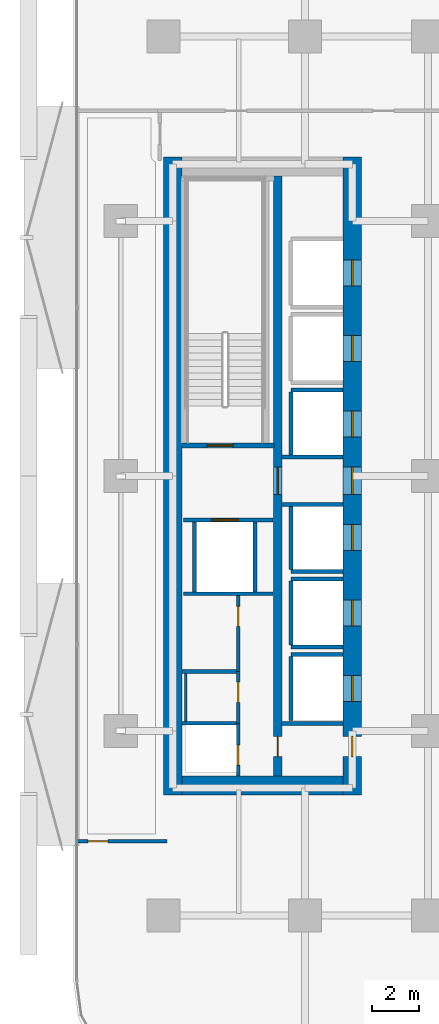
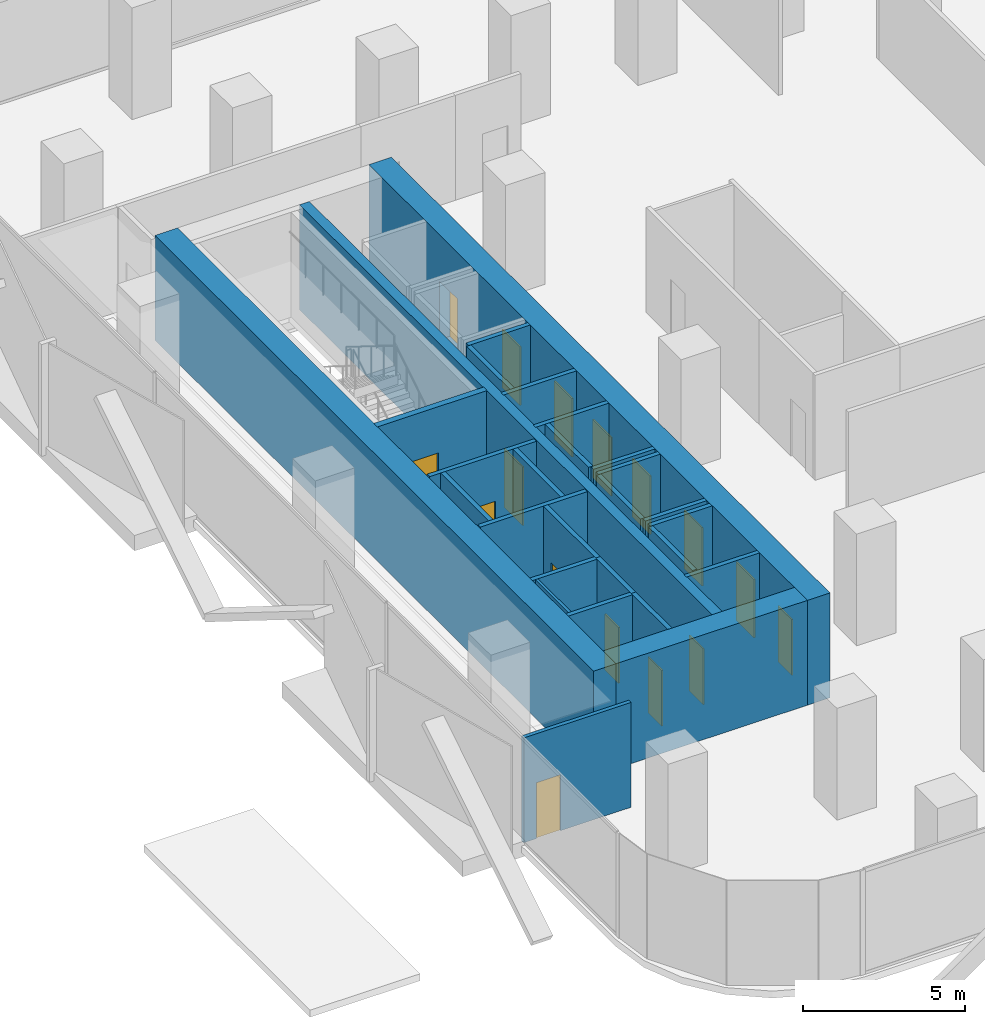
# One storey, part 3 of 16: 28 walls, 16 doors, 16 openings.
"""IFC4 building model written with IfcOpenShell, lengths in metres."""

import ifcopenshell
import ifcopenshell.guid

model = None  # the IFC model being written
_history = None  # IfcOwnerHistory: only IFC2X3 demands one
_inside = {}  # id of a spatial element -> (the spatial element, [elements in it])
_under = {}  # id of a project, library or spatial element -> (it, [spatial elements below it])
_declared = {}  # id of a project -> (the project, [libraries it declares])
_typed = {}  # id of a type object -> (the type object, [elements of that type])
_made_of = {}  # id of a material, layer set ... -> (it, [elements and type objects made of it])


def new_model(schema):
    """Start an empty IFC model of exactly this schema.

    Asked for "IFC4X3", IfcOpenShell would pick the latest addendum, in which some entities
    have other attributes; the version numbers below select the first issue.
    IFC2X3 requires an IfcOwnerHistory on every rooted entity: one is made here for all.
    """
    global model, _history
    if schema == "IFC4X3":
        model = ifcopenshell.file(schema_version=(4, 3, 0, 0))
    else:
        model = ifcopenshell.file(schema=schema)
    _inside.clear()
    _under.clear()
    _declared.clear()
    _typed.clear()
    _made_of.clear()
    _history = None
    if model.schema == "IFC2X3":
        org = make("IfcOrganization", Name="unknown")
        user = make(
            "IfcPersonAndOrganization",
            ThePerson=make("IfcPerson", FamilyName="unknown"),
            TheOrganization=org,
        )
        app = make(
            "IfcApplication",
            ApplicationDeveloper=org,
            Version="unknown",
            ApplicationFullName="unknown",
            ApplicationIdentifier="unknown",
        )
        _history = make(
            "IfcOwnerHistory",
            OwningUser=user,
            OwningApplication=app,
            ChangeAction="ADDED",
            CreationDate=0,
        )
    return model


def make(cls, **values):
    """One entity of the class cls with the attributes given. An attribute that is None is left unset."""
    return model.create_entity(
        cls, **{name: value for name, value in values.items() if value is not None}
    )


def rooted(cls, **values):
    """An entity with a GlobalId (a new one), such as an element, a storey or a relation."""
    return make(cls, GlobalId=ifcopenshell.guid.new(), OwnerHistory=_history, **values)


def si_unit(unit_type, name, prefix=None):
    """IfcSIUnit, for example si_unit("LENGTHUNIT", "METRE", prefix="MILLI")."""
    return make("IfcSIUnit", UnitType=unit_type, Prefix=prefix, Name=name)


def assignment(units):
    """IfcUnitAssignment: the units of a project."""
    return None if units is None else make("IfcUnitAssignment", Units=units)


def point(xyz):
    """IfcCartesianPoint."""
    return None if xyz is None else make("IfcCartesianPoint", Coordinates=xyz)


def direction(xyz):
    """IfcDirection."""
    return None if xyz is None else make("IfcDirection", DirectionRatios=xyz)


def frame(location, z_axis=None, x_axis=None):
    """IfcAxis2Placement3D, a coordinate frame: its origin and axes. An axis left out is left unset."""
    return make(
        "IfcAxis2Placement3D",
        Location=point(location),
        Axis=direction(z_axis),
        RefDirection=direction(x_axis),
    )


def frame_2d(location, x_axis=None):
    """IfcAxis2Placement2D, a coordinate frame in the plane: its origin and x axis."""
    return make(
        "IfcAxis2Placement2D", Location=point(location), RefDirection=direction(x_axis)
    )


def origin():
    """The frame at (0, 0, 0) with its axes left unset."""
    return frame((0.0, 0.0, 0.0))


def place(relative_to, where):
    """IfcLocalPlacement: puts the frame where relative to a parent placement (None: the world)."""
    return make(
        "IfcLocalPlacement", PlacementRelTo=relative_to, RelativePlacement=where
    )


def context(
    kind, dimensions, precision=None, world=None, true_north=None, identifier=None
):
    """IfcGeometricRepresentationContext, for example the 3D "Model" context."""
    return make(
        "IfcGeometricRepresentationContext",
        ContextIdentifier=identifier,
        ContextType=kind,
        CoordinateSpaceDimension=dimensions,
        Precision=precision,
        WorldCoordinateSystem=world,
        TrueNorth=true_north,
    )


def subcontext(parent, identifier, kind, view, scale=None):
    """IfcGeometricRepresentationSubContext, for example "Body" below "Model"."""
    return make(
        "IfcGeometricRepresentationSubContext",
        ContextIdentifier=identifier,
        ContextType=kind,
        ParentContext=parent,
        TargetScale=scale,
        TargetView=view,
    )


def project(units=None, contexts=None):
    """IfcProject with its units and contexts."""
    return rooted(
        "IfcProject",
        Name="project",
        RepresentationContexts=contexts,
        UnitsInContext=assignment(units),
    )


def spatial(cls, under=None, at=None, **own):
    """A site, building, storey or space (cls), placed at a placement, below another one or the project."""
    s = rooted(cls, ObjectPlacement=at, **own)
    if under is not None:
        _under.setdefault(under.id(), (under, []))[1].append(s)
    return s


def profile(cls, at=None, kind="AREA", **sizes):
    """A parametric profile (cls). Its sizes go by their IFC names, for example OverallWidth=200.0."""
    return make(cls, ProfileType=kind, Position=at, **sizes)


def rectangle(**sizes):
    """IfcRectangleProfileDef."""
    return profile("IfcRectangleProfileDef", **sizes)


def extrude(swept, where, along, depth):
    """IfcExtrudedAreaSolid: the profile swept, set in the frame where, extruded along a direction by depth."""
    return make(
        "IfcExtrudedAreaSolid",
        SweptArea=swept,
        Position=where,
        ExtrudedDirection=direction(along),
        Depth=depth,
    )


def shape(context_of_items, identifier, shape_type, items):
    """IfcShapeRepresentation: the items that make up one representation, for example the "Body"."""
    return make(
        "IfcShapeRepresentation",
        ContextOfItems=context_of_items,
        RepresentationIdentifier=identifier,
        RepresentationType=shape_type,
        Items=items,
    )


def material(Name=None, Category=None):
    """IfcMaterial."""
    return make("IfcMaterial", Name=Name, Category=Category)


def layer(
    of_material, thickness, ventilated=None, Name=None, Category=None, Priority=None
):
    """IfcMaterialLayer: one layer of a wall or slab, of a material (None: an air gap)."""
    return make(
        "IfcMaterialLayer",
        Material=of_material,
        LayerThickness=thickness,
        IsVentilated=ventilated,
        Name=Name,
        Category=Category,
        Priority=Priority,
    )


def layer_set(layers, Name=None):
    """IfcMaterialLayerSet."""
    return make("IfcMaterialLayerSet", MaterialLayers=layers, LayerSetName=Name)


def made_of(thing, what):
    """Note that an element or type object is made of a material, layer set ...; save() writes the relation."""
    if what is not None:
        _made_of.setdefault(what.id(), (what, []))[1].append(thing)
    return thing


def type_object(cls, material=None, **own):
    """A type object (cls), such as IfcWallType, which elements share."""
    return made_of(rooted(cls, **own), material)


def element(
    cls,
    number,
    at=None,
    inside=None,
    cuts=None,
    type_object=None,
    material=None,
    context=None,
    identifier="Body",
    shape_type=None,
    held_by="IfcProductDefinitionShape",
    body=None,
    shapes=None,
    **own,
):
    """One element of the class cls, such as IfcWall. Its Tag is "e" and its number.

    at: its placement. inside: the storey or other place that contains it. cuts: it is an
    opening in that element (IfcRelVoidsElement). A single representation is given by context,
    identifier, shape_type and body (its items); several are given by shapes. held_by: the class
    of the entity that holds the representations. save() writes the other relations.
    """
    e = rooted(cls, Tag="e%d" % number, ObjectPlacement=at, **own)
    if body is not None:
        shapes = [shape(context, identifier, shape_type, body)]
    if shapes is not None:
        e.Representation = make(held_by, Representations=shapes)
    if inside is not None:
        _inside.setdefault(inside.id(), (inside, []))[1].append(e)
    if cuts is not None:
        rooted(
            "IfcRelVoidsElement", RelatingBuildingElement=cuts, RelatedOpeningElement=e
        )
    if type_object is not None:
        _typed.setdefault(type_object.id(), (type_object, []))[1].append(e)
    return made_of(e, material)


def fill(opening, filler):
    """IfcRelFillsElement: the door or window that sits in an opening."""
    return rooted(
        "IfcRelFillsElement",
        RelatingOpeningElement=opening,
        RelatedBuildingElement=filler,
    )


def aggregate(whole, parts):
    """IfcRelAggregates: a whole, such as a stair, and the parts it consists of."""
    return rooted("IfcRelAggregates", RelatingObject=whole, RelatedObjects=parts)


def save(model, path):
    """Write the relations noted so far, then the file.

    IfcRelAggregates (storeys below a building ...), IfcRelContainedInSpatialStructure (elements
    in a storey), IfcRelDefinesByType, IfcRelAssociatesMaterial and IfcRelDeclares: one each for
    every whole, place, type object, material and project.
    """
    for whole, parts in _under.values():
        aggregate(whole, parts)
    for where, things in _inside.values():
        rooted(
            "IfcRelContainedInSpatialStructure",
            RelatedElements=things,
            RelatingStructure=where,
        )
    for kind, things in _typed.values():
        rooted("IfcRelDefinesByType", RelatedObjects=things, RelatingType=kind)
    for what, things in _made_of.values():
        rooted("IfcRelAssociatesMaterial", RelatedObjects=things, RelatingMaterial=what)
    for by, libraries in _declared.values():
        rooted("IfcRelDeclares", RelatingContext=by, RelatedDefinitions=libraries)
    model.write(path)


model = new_model("IFC4")

# Units and contexts
model_context = context("Model", 3, precision=1e-05, world=origin(), true_north=direction((0.0, 1.0)))
body_context = subcontext(model_context, "Body", "Model", "MODEL_VIEW")
ifc_project = project(units=[si_unit("LENGTHUNIT", "METRE"), si_unit("AREAUNIT", "SQUARE_METRE"), si_unit("VOLUMEUNIT", "CUBIC_METRE"), si_unit("PLANEANGLEUNIT", "RADIAN"), si_unit("MASSUNIT", "GRAM", prefix="KILO")], contexts=[model_context])

# Site, building, storey
site_placement = place(None, origin())
site = spatial("IfcSite", under=ifc_project, at=site_placement, CompositionType="ELEMENT")
building_placement = place(site_placement, origin())
building = spatial("IfcBuilding", under=site, at=building_placement, Name="Khairoan Windgate Tower", CompositionType="ELEMENT")
storey_placement = place(building_placement, frame((0.0, 0.0, 26.0)))
storey = spatial("IfcBuildingStorey", under=building, at=storey_placement, Name="L06", CompositionType="ELEMENT", Elevation=26.0)

# Walls
ifc_material_1 = material(Name="Moisture-Resistant Gypsum Partition", Category="gypsum")
ifc_layer_1 = layer(ifc_material_1, 0.10009765625, Name="Moisture-Resistant Gypsum Partition")
ifc_layer_set_1 = layer_set([ifc_layer_1], Name="Moisture-Resistant Gypsum Partition")
wall_type_1 = type_object("IfcWallType", Name="Bathroom Wet-Area Partition Wall", PredefinedType="PARTITIONING", material=ifc_layer_set_1)
wall_1_placement = place(storey_placement, frame((-19.449951171875, -10.389892578125, 0.0), z_axis=(0.0, 0.0, 1.0), x_axis=(0.0, 1.0, 0.0)))
element("IfcWall", 1, at=wall_1_placement, inside=storey, type_object=wall_type_1, Name="L06 Wet Room Side Wall 035", PredefinedType="PARTITIONING", context=body_context, shape_type="SweptSolid", body=[
    extrude(rectangle(XDim=2.039794921875, YDim=0.10009765625, at=frame_2d((1.02001953125, 0.0))), origin(), (0.0, 0.0, 1.0), 3.93994140625),
])
ifc_material_2 = material(Name="Concrete C40/50", Category="concrete")
ifc_layer_2 = layer(ifc_material_2, 0.159912109375, Name="Concrete C40/50")
ifc_layer_set_2 = layer_set([ifc_layer_2], Name="Concrete C40/50")
wall_type_2 = type_object("IfcWallType", Name="Core and Hoistway Enclosure Wall", PredefinedType="STANDARD", material=ifc_layer_set_2)
wall_2_placement = place(storey_placement, frame((-14.989990234375, 3.639892578125, 0.0), z_axis=(0.0, 0.0, 1.0), x_axis=(1.0, 0.0, 0.0)))
element("IfcWall", 2, at=wall_2_placement, inside=storey, type_object=wall_type_2, Name="L06 Lift PL3 Hoistway Divider N", PredefinedType="STANDARD", context=body_context, shape_type="SweptSolid", body=[
    extrude(rectangle(XDim=2.18994140625, YDim=0.159912109375, at=frame_2d((1.094970703125, 0.0))), origin(), (0.0, 0.0, 1.0), 3.93994140625),
])
wall_3_placement = place(storey_placement, frame((-14.989990234375, 0.85009765625, 0.0), z_axis=(0.0, 0.0, 1.0), x_axis=(0.0, 1.0, 0.0)))
element("IfcWall", 3, at=wall_3_placement, inside=storey, type_object=wall_type_2, Name="L06 Lift PL3 Hoistway Back Wall", PredefinedType="STANDARD", context=body_context, shape_type="SweptSolid", body=[
    extrude(rectangle(XDim=2.699951171875, YDim=0.159912109375, at=frame_2d((1.35009765625, 0.0))), origin(), (0.0, 0.0, 1.0), 3.93994140625),
])
wall_4_placement = place(storey_placement, frame((-14.989990234375, -4.0400390625, 0.0), z_axis=(0.0, 0.0, 1.0), x_axis=(1.0, 0.0, 0.0)))
element("IfcWall", 4, at=wall_4_placement, inside=storey, type_object=wall_type_2, Name="L06 Lift PL4 Hoistway Divider S", PredefinedType="STANDARD", context=body_context, shape_type="SweptSolid", body=[
    extrude(rectangle(XDim=2.18994140625, YDim=0.159912109375, at=frame_2d((1.094970703125, 0.0))), origin(), (0.0, 0.0, 1.0), 3.93994140625),
])
wall_5_placement = place(storey_placement, frame((-14.989990234375, -3.949951171875, 0.0), z_axis=(0.0, 0.0, 1.0), x_axis=(0.0, 1.0, 0.0)))
element("IfcWall", 5, at=wall_5_placement, inside=storey, type_object=wall_type_2, Name="L06 Lift PL4 Hoistway Back Wall", PredefinedType="STANDARD", context=body_context, shape_type="SweptSolid", body=[
    extrude(rectangle(XDim=2.699951171875, YDim=0.159912109375, at=frame_2d((1.35009765625, 0.0))), origin(), (0.0, 0.0, 1.0), 3.93994140625),
])
for number, where, z_axis, x_axis, name in (
    (6, (-14.989990234375, -7.239990234375, 0.0), (0.0, 0.0, 1.0), (1.0, 0.0, 0.0), "L06 Lift PL5 Hoistway Divider S"),
    (7, (-14.989990234375, -4.360107421875, 0.0), (0.0, 0.0, 1.0), (1.0, 0.0, 0.0), "L06 Lift PL5 Hoistway Divider N"),
):
    element("IfcWall", number, at=place(storey_placement, frame(where, z_axis=z_axis, x_axis=x_axis)), inside=storey, type_object=wall_type_2, Name=name, PredefinedType="STANDARD", context=body_context, shape_type="SweptSolid", body=[
        extrude(rectangle(XDim=2.18994140625, YDim=0.159912109375, at=frame_2d((1.094970703125, 0.0))), origin(), (0.0, 0.0, 1.0), 3.93994140625),
    ])
wall_6_placement = place(storey_placement, frame((-14.989990234375, -7.14990234375, 0.0), z_axis=(0.0, 0.0, 1.0), x_axis=(0.0, 1.0, 0.0)))
element("IfcWall", 8, at=wall_6_placement, inside=storey, type_object=wall_type_2, Name="L06 Lift PL5 Hoistway Back Wall", PredefinedType="STANDARD", context=body_context, shape_type="SweptSolid", body=[
    extrude(rectangle(XDim=2.699951171875, YDim=0.159912109375, at=frame_2d((1.35009765625, 0.0))), origin(), (0.0, 0.0, 1.0), 3.93994140625),
])
wall_7_placement = place(storey_placement, frame((-14.989990234375, -7.56005859375, 0.0), z_axis=(0.0, 0.0, 1.0), x_axis=(1.0, 0.0, 0.0)))
element("IfcWall", 9, at=wall_7_placement, inside=storey, type_object=wall_type_2, Name="L06 Lift PL6 Hoistway Divider N", PredefinedType="STANDARD", context=body_context, shape_type="SweptSolid", body=[
    extrude(rectangle(XDim=2.18994140625, YDim=0.159912109375, at=frame_2d((1.094970703125, 0.0))), origin(), (0.0, 0.0, 1.0), 3.93994140625),
])
wall_8_placement = place(storey_placement, frame((-14.989990234375, -10.35009765625, 0.0), z_axis=(0.0, 0.0, 1.0), x_axis=(0.0, 1.0, 0.0)))
element("IfcWall", 10, at=wall_8_placement, inside=storey, type_object=wall_type_2, Name="L06 Lift PL6 Hoistway Back Wall", PredefinedType="STANDARD", context=body_context, shape_type="SweptSolid", body=[
    extrude(rectangle(XDim=2.7001953125, YDim=0.159912109375, at=frame_2d((1.35009765625, 0.0))), origin(), (0.0, 0.0, 1.0), 3.93994140625),
])

# Wall, opening, door
wall_9_placement = place(storey_placement, frame((-19.550048828125, -1.860107421875, 0.0), z_axis=(0.0, 0.0, 1.0), x_axis=(1.0, 0.0, 0.0)))
wall_9 = element("IfcWall", 11, at=wall_9_placement, inside=storey, type_object=wall_type_2, Name="L06 Core Shaft Wall SW-FL2-L06", PredefinedType="STANDARD", context=body_context, shape_type="SweptSolid", body=[
    extrude(rectangle(XDim=3.800048828125, YDim=0.159912109375, at=frame_2d((1.89990234375, 0.0))), origin(), (0.0, 0.0, 1.0), 3.93994140625),
])
opening_1_placement = place(wall_9_placement, frame((1.179931640625, 0.0, 0.0)))
opening_1 = element("IfcOpeningElement", 12, at=opening_1_placement, cuts=wall_9, Name="Opening LD-FL", PredefinedType="OPENING", context=body_context, shape_type="SweptSolid", body=[
    extrude(rectangle(XDim=1.14990234375, YDim=2.199951171875, at=frame_2d((0.574951171875, 1.10009765625))), frame((0.0, 0.08984375, 0.0), z_axis=(0.0, -1.0, 0.0), x_axis=(1.0, 0.0, 0.0)), (0.0, 0.0, 1.0), 0.179931640625),
])
ifc_material_3 = material(Name="Steel S355", Category="steel")
door_type_1 = type_object("IfcDoorType", Name="Firefighting Lift Sliding Landing Door LD-FL 1150x2200", OperationType="DOUBLE_DOOR_SLIDING", PredefinedType="DOOR", material=ifc_material_3)
door_1_placement = place(opening_1_placement, origin())
door_1 = element("IfcDoor", 13, at=door_1_placement, inside=storey, type_object=door_type_1, Name="L06 Firefighting Lift FL2 Landing Door", OperationType="DOUBLE_DOOR_SLIDING", OverallHeight=2.199951171875, OverallWidth=1.14990234375, PredefinedType="DOOR", context=body_context, shape_type="SweptSolid", body=[
    extrude(rectangle(XDim=1.14990234375, YDim=2.199951171875, at=frame_2d((0.574951171875, 1.10009765625))), frame((0.0, 0.02490234375, 0.0), z_axis=(0.0, -1.0, 0.0), x_axis=(1.0, 0.0, 0.0)), (0.0, 0.0, 1.0), 0.050048828125),
])
fill(opening_1, door_1)

# Walls
wall_10_placement = place(storey_placement, frame((-19.550048828125, -4.97998046875, 0.0), z_axis=(0.0, 0.0, 1.0), x_axis=(1.0, 0.0, 0.0)))
element("IfcWall", 14, at=wall_10_placement, inside=storey, type_object=wall_type_2, Name="L06 Core Shaft Wall SW-FL2B-L06", PredefinedType="STANDARD", context=body_context, shape_type="SweptSolid", body=[
    extrude(rectangle(XDim=3.800048828125, YDim=0.159912109375, at=frame_2d((1.89990234375, 0.0))), origin(), (0.0, 0.0, 1.0), 3.93994140625),
])
for number, where, z_axis, x_axis, name in (
    (15, (-19.080078125, -4.89990234375, 0.0), (0.0, 0.0, 1.0), (0.0, 1.0, 0.0), "L06 Core Shaft Wall SW-FL2W-L06"),
    (16, (-16.52001953125, -4.89990234375, 0.0), (0.0, 0.0, 1.0), (0.0, 1.0, 0.0), "L06 Core Shaft Wall SW-FL2E-L06"),
):
    element("IfcWall", number, at=place(storey_placement, frame(where, z_axis=z_axis, x_axis=x_axis)), inside=storey, type_object=wall_type_2, Name=name, PredefinedType="STANDARD", context=body_context, shape_type="SweptSolid", body=[
        extrude(rectangle(XDim=2.9599609375, YDim=0.159912109375, at=frame_2d((1.47998046875, 0.0))), origin(), (0.0, 0.0, 1.0), 3.93994140625),
    ])
for number, where, z_axis, x_axis, name in (
    (17, (-15.39990234375, 0.800048828125, 0.0), (0.0, 0.0, 1.0), (1.0, 0.0, 0.0), "L06 Core Shaft Wall SW-WV1-L06"),
    (18, (-15.39990234375, -1.199951171875, 0.0), (0.0, 0.0, 1.0), (1.0, 0.0, 0.0), "L06 Core Shaft Wall SW-WV2-L06"),
    (19, (-15.39990234375, -10.47998046875, 0.0), (0.0, 0.0, 1.0), (1.0, 0.0, 0.0), "L06 Core Shaft Wall SW-WSV-L06"),
):
    element("IfcWall", number, at=place(storey_placement, frame(where, z_axis=z_axis, x_axis=x_axis)), inside=storey, type_object=wall_type_2, Name=name, PredefinedType="STANDARD", context=body_context, shape_type="SweptSolid", body=[
        extrude(rectangle(XDim=2.599853515625, YDim=0.159912109375, at=frame_2d((1.2998046875, 0.0))), origin(), (0.0, 0.0, 1.0), 3.93994140625),
    ])

# Wall, opening, door
ifc_material_4 = material(Name="Acoustic Fire-Rated Gypsum Partition", Category="gypsum")
ifc_layer_3 = layer(ifc_material_4, 0.139892578125, Name="Acoustic Fire-Rated Gypsum Partition")
ifc_layer_set_3 = layer_set([ifc_layer_3], Name="Acoustic Fire-Rated Gypsum Partition")
wall_type_3 = type_object("IfcWallType", Name="Inter-Tenancy Compartment Wall", PredefinedType="PARTITIONING", material=ifc_layer_set_3)
wall_11_placement = place(storey_placement, frame((-24.054931640625, -15.4599609375, 0.0), z_axis=(0.0, 0.0, 1.0), x_axis=(1.0, 0.0, 0.0)))
wall_11 = element("IfcWall", 20, at=wall_11_placement, inside=storey, type_object=wall_type_3, Name="L06 Interior Partition 027", PredefinedType="PARTITIONING", context=body_context, shape_type="SweptSolid", body=[
    extrude(rectangle(XDim=3.81494140625, YDim=0.139892578125, at=frame_2d((1.907470703125, 0.0))), origin(), (0.0, 0.0, 1.0), 3.93994140625),
])
opening_2_placement = place(wall_11_placement, frame((0.4599609375, 0.0, 0.0)))
opening_2 = element("IfcOpeningElement", 21, at=opening_2_placement, cuts=wall_11, Name="Opening FD-SRV", PredefinedType="OPENING", context=body_context, shape_type="SweptSolid", body=[
    extrude(rectangle(XDim=0.85009765625, YDim=2.10009765625, at=frame_2d((0.425048828125, 1.050048828125))), frame((0.0, 0.079833984375, 0.0), z_axis=(0.0, -1.0, 0.0), x_axis=(1.0, 0.0, 0.0)), (0.0, 0.0, 1.0), 0.159912109375),
])
ifc_material_5 = material(Name="Steel S355", Category="steel")
door_type_2 = type_object("IfcDoorType", Name="Core Service and Riser Fire Door FD-SRV 850x2100", OperationType="NOTDEFINED", PredefinedType="DOOR", material=ifc_material_5)
door_2_placement = place(opening_2_placement, origin())
door_2 = element("IfcDoor", 22, at=door_2_placement, inside=storey, type_object=door_type_2, Name="L06 L06-38-L06-43 Door", OperationType="SINGLE_SWING_RIGHT", OverallHeight=2.10009765625, OverallWidth=0.85009765625, PredefinedType="DOOR", context=body_context, shape_type="SweptSolid", body=[
    extrude(rectangle(XDim=0.85009765625, YDim=2.10009765625, at=frame_2d((0.425048828125, 1.050048828125))), frame((0.0, 0.02490234375, 0.0), z_axis=(0.0, -1.0, 0.0), x_axis=(1.0, 0.0, 0.0)), (0.0, 0.0, 1.0), 0.050048828125),
])
fill(opening_2, door_2)

ifc_material_6 = material(Name="Concrete C40/50", Category="concrete")
ifc_layer_4 = layer(ifc_material_6, 0.159912109375, Name="Concrete C40/50")
ifc_layer_set_4 = layer_set([ifc_layer_4], Name="Concrete C40/50")
wall_type_4 = type_object("IfcWallType", Name="Plant and Refuge Compartment Wall", PredefinedType="PARTITIONING", material=ifc_layer_set_4)
wall_12_placement = place(storey_placement, frame((-17.22998046875, -12.699951171875, 0.0), z_axis=(0.0, 0.0, 1.0), x_axis=(0.0, 1.0, 0.0)))
wall_12 = element("IfcWall", 23, at=wall_12_placement, inside=storey, type_object=wall_type_4, Name="L06 Interior Partition 001", PredefinedType="PARTITIONING", context=body_context, shape_type="SweptSolid", body=[
    extrude(rectangle(XDim=2.22998046875, YDim=0.159912109375, at=frame_2d((1.114990234375, 0.0))), origin(), (0.0, 0.0, 1.0), 3.93994140625),
])
opening_3_placement = place(wall_12_placement, frame((0.4599609375, 0.0, 0.0)))
opening_3 = element("IfcOpeningElement", 24, at=opening_3_placement, cuts=wall_12, Name="Opening FD-SRV", PredefinedType="OPENING", context=body_context, shape_type="SweptSolid", body=[
    extrude(rectangle(XDim=0.85009765625, YDim=2.10009765625, at=frame_2d((0.425048828125, 1.050048828125))), frame((0.0, 0.08984375, 0.0), z_axis=(0.0, -1.0, 0.0), x_axis=(1.0, 0.0, 0.0)), (0.0, 0.0, 1.0), 0.179931640625),
])
door_3_placement = place(opening_3_placement, origin())
door_3 = element("IfcDoor", 25, at=door_3_placement, inside=storey, type_object=door_type_2, Name="L06 L06-04-L06-05 Door", OperationType="SINGLE_SWING_LEFT", OverallHeight=2.10009765625, OverallWidth=0.85009765625, PredefinedType="DOOR", context=body_context, shape_type="SweptSolid", body=[
    extrude(rectangle(XDim=0.85009765625, YDim=2.10009765625, at=frame_2d((0.425048828125, 1.050048828125))), frame((0.0, 0.02490234375, 0.0), z_axis=(0.0, -1.0, 0.0), x_axis=(1.0, 0.0, 0.0)), (0.0, 0.0, 1.0), 0.050048828125),
])
fill(opening_3, door_3)

wall_13_placement = place(storey_placement, frame((-17.22998046875, -10.469970703125, 0.0), z_axis=(0.0, 0.0, 1.0), x_axis=(0.0, 1.0, 0.0)))
wall_13 = element("IfcWall", 26, at=wall_13_placement, inside=storey, type_object=wall_type_4, Name="L06 Interior Partition 002", PredefinedType="PARTITIONING", context=body_context, shape_type="SweptSolid", body=[
    extrude(rectangle(XDim=2.199951171875, YDim=0.159912109375, at=frame_2d((1.10009765625, 0.0))), origin(), (0.0, 0.0, 1.0), 3.93994140625),
])
opening_4_placement = place(wall_13_placement, frame((0.889892578125, 0.0, 0.0)))
opening_4 = element("IfcOpeningElement", 27, at=opening_4_placement, cuts=wall_13, Name="Opening FD-SRV", PredefinedType="OPENING", context=body_context, shape_type="SweptSolid", body=[
    extrude(rectangle(XDim=0.85009765625, YDim=2.10009765625, at=frame_2d((0.425048828125, 1.050048828125))), frame((0.0, 0.08984375, 0.0), z_axis=(0.0, -1.0, 0.0), x_axis=(1.0, 0.0, 0.0)), (0.0, 0.0, 1.0), 0.179931640625),
])
door_4_placement = place(opening_4_placement, origin())
door_4 = element("IfcDoor", 28, at=door_4_placement, inside=storey, type_object=door_type_2, Name="L06 L06-04-L06-06 Door", OperationType="SINGLE_SWING_RIGHT", OverallHeight=2.10009765625, OverallWidth=0.85009765625, PredefinedType="DOOR", context=body_context, shape_type="SweptSolid", body=[
    extrude(rectangle(XDim=0.85009765625, YDim=2.10009765625, at=frame_2d((0.425048828125, 1.050048828125))), frame((0.0, 0.02490234375, 0.0), z_axis=(0.0, -1.0, 0.0), x_axis=(1.0, 0.0, 0.0)), (0.0, 0.0, 1.0), 0.050048828125),
])
fill(opening_4, door_4)

wall_14_placement = place(storey_placement, frame((-17.22998046875, -8.27001953125, 0.0), z_axis=(0.0, 0.0, 1.0), x_axis=(0.0, 1.0, 0.0)))
wall_14 = element("IfcWall", 29, at=wall_14_placement, inside=storey, type_object=wall_type_4, Name="L06 Interior Partition 003", PredefinedType="PARTITIONING", context=body_context, shape_type="SweptSolid", body=[
    extrude(rectangle(XDim=3.2099609375, YDim=0.159912109375, at=frame_2d((1.60498046875, 0.0))), origin(), (0.0, 0.0, 1.0), 3.93994140625),
])
opening_5_placement = place(wall_14_placement, frame((1.89990234375, 0.0, 0.0)))
opening_5 = element("IfcOpeningElement", 30, at=opening_5_placement, cuts=wall_14, Name="Opening FD-SRV", PredefinedType="OPENING", context=body_context, shape_type="SweptSolid", body=[
    extrude(rectangle(XDim=0.85009765625, YDim=2.10009765625, at=frame_2d((0.425048828125, 1.050048828125))), frame((0.0, 0.08984375, 0.0), z_axis=(0.0, -1.0, 0.0), x_axis=(1.0, 0.0, 0.0)), (0.0, 0.0, 1.0), 0.179931640625),
])
door_5_placement = place(opening_5_placement, origin())
door_5 = element("IfcDoor", 31, at=door_5_placement, inside=storey, type_object=door_type_2, Name="L06 L06-04-L06-07 Door", OperationType="SINGLE_SWING_LEFT", OverallHeight=2.10009765625, OverallWidth=0.85009765625, PredefinedType="DOOR", context=body_context, shape_type="SweptSolid", body=[
    extrude(rectangle(XDim=0.85009765625, YDim=2.10009765625, at=frame_2d((0.425048828125, 1.050048828125))), frame((0.0, 0.02490234375, 0.0), z_axis=(0.0, -1.0, 0.0), x_axis=(1.0, 0.0, 0.0)), (0.0, 0.0, 1.0), 0.050048828125),
])
fill(opening_5, door_5)

# Walls
for number, where, z_axis, x_axis, name in (
    (32, (-19.60009765625, -10.469970703125, 0.0), (0.0, 0.0, 1.0), (1.0, 0.0, 0.0), "L06 Interior Partition 004"),
    (33, (-19.60009765625, -8.27001953125, 0.0), (0.0, 0.0, 1.0), (1.0, 0.0, 0.0), "L06 Interior Partition 005"),
):
    element("IfcWall", number, at=place(storey_placement, frame(where, z_axis=z_axis, x_axis=x_axis)), inside=storey, type_object=wall_type_4, Name=name, PredefinedType="PARTITIONING", context=body_context, shape_type="SweptSolid", body=[
        extrude(rectangle(XDim=2.2900390625, YDim=0.159912109375, at=frame_2d((1.14501953125, 0.0))), origin(), (0.0, 0.0, 1.0), 3.93994140625),
    ])
ifc_material_7 = material(Name="Concrete C70/85", Category="concrete")
ifc_layer_5 = layer(ifc_material_7, 0.800048828125, Name="Concrete C70/85")
ifc_layer_set_5 = layer_set([ifc_layer_5], Name="Concrete C70/85")
wall_type_5 = type_object("IfcWallType", Name="Shear Wall CW-W1 800mm", PredefinedType="SHEAR", material=ifc_layer_set_5)
wall_15_placement = place(storey_placement, frame((-20.0, -13.5, 0.0), z_axis=(0.0, 0.0, 1.0), x_axis=(0.0, 1.0, 0.0)))
element("IfcWall", 34, at=wall_15_placement, inside=storey, type_object=wall_type_5, Name="W Core West Shear Wall L06", PredefinedType="SHEAR", context=body_context, shape_type="SweptSolid", body=[
    extrude(rectangle(XDim=27.0, YDim=0.800048828125, at=frame_2d((13.5, 0.0))), origin(), (0.0, 0.0, 1.0), 3.93994140625),
])

# Wall, openings, doors
wall_16_placement = place(storey_placement, frame((-12.39990234375, -13.5, 0.0), z_axis=(0.0, 0.0, 1.0), x_axis=(0.0, 1.0, 0.0)))
wall_16 = element("IfcWall", 35, at=wall_16_placement, inside=storey, type_object=wall_type_5, Name="W Core East Shear Wall L06", PredefinedType="SHEAR", context=body_context, shape_type="SweptSolid", body=[
    extrude(rectangle(XDim=27.0, YDim=0.800048828125, at=frame_2d((13.5, 0.0))), origin(), (0.0, 0.0, 1.0), 3.93994140625),
])
opening_6_placement = place(wall_16_placement, frame((21.550048828125, 0.0, 0.0)))
opening_6 = element("IfcOpeningElement", 36, at=opening_6_placement, cuts=wall_16, Name="Opening LD-PL", PredefinedType="OPENING", context=body_context, shape_type="SweptSolid", body=[
    extrude(rectangle(XDim=1.10009765625, YDim=2.199951171875, at=frame_2d((0.550048828125, 1.10009765625))), frame((0.0, 0.409912109375, 0.0), z_axis=(0.0, -1.0, 0.0), x_axis=(1.0, 0.0, 0.0)), (0.0, 0.0, 1.0), 0.820068359375),
])
opening_7_placement = place(wall_16_placement, frame((18.35009765625, 0.0, 0.0)))
opening_7 = element("IfcOpeningElement", 37, at=opening_7_placement, cuts=wall_16, Name="Opening LD-PL", PredefinedType="OPENING", context=body_context, shape_type="SweptSolid", body=[
    extrude(rectangle(XDim=1.10009765625, YDim=2.199951171875, at=frame_2d((0.550048828125, 1.10009765625))), frame((0.0, 0.409912109375, 0.0), z_axis=(0.0, -1.0, 0.0), x_axis=(1.0, 0.0, 0.0)), (0.0, 0.0, 1.0), 0.820068359375),
])
opening_8_placement = place(wall_16_placement, frame((15.14990234375, 0.0, 0.0)))
opening_8 = element("IfcOpeningElement", 38, at=opening_8_placement, cuts=wall_16, Name="Opening LD-PL", PredefinedType="OPENING", context=body_context, shape_type="SweptSolid", body=[
    extrude(rectangle(XDim=1.10009765625, YDim=2.199951171875, at=frame_2d((0.550048828125, 1.10009765625))), frame((0.0, 0.409912109375, 0.0), z_axis=(0.0, -1.0, 0.0), x_axis=(1.0, 0.0, 0.0)), (0.0, 0.0, 1.0), 0.820068359375),
])
opening_9_placement = place(wall_16_placement, frame((10.35009765625, 0.0, 0.0)))
opening_9 = element("IfcOpeningElement", 39, at=opening_9_placement, cuts=wall_16, Name="Opening LD-PL", PredefinedType="OPENING", context=body_context, shape_type="SweptSolid", body=[
    extrude(rectangle(XDim=1.10009765625, YDim=2.199951171875, at=frame_2d((0.550048828125, 1.10009765625))), frame((0.0, 0.409912109375, 0.0), z_axis=(0.0, -1.0, 0.0), x_axis=(1.0, 0.0, 0.0)), (0.0, 0.0, 1.0), 0.820068359375),
])
opening_10_placement = place(wall_16_placement, frame((7.14990234375, 0.0, 0.0)))
opening_10 = element("IfcOpeningElement", 40, at=opening_10_placement, cuts=wall_16, Name="Opening LD-PL", PredefinedType="OPENING", context=body_context, shape_type="SweptSolid", body=[
    extrude(rectangle(XDim=1.10009765625, YDim=2.199951171875, at=frame_2d((0.550048828125, 1.10009765625))), frame((0.0, 0.409912109375, 0.0), z_axis=(0.0, -1.0, 0.0), x_axis=(1.0, 0.0, 0.0)), (0.0, 0.0, 1.0), 0.820068359375),
])
opening_11_placement = place(wall_16_placement, frame((3.949951171875, 0.0, 0.0)))
opening_11 = element("IfcOpeningElement", 41, at=opening_11_placement, cuts=wall_16, Name="Opening LD-PL", PredefinedType="OPENING", context=body_context, shape_type="SweptSolid", body=[
    extrude(rectangle(XDim=1.10009765625, YDim=2.199951171875, at=frame_2d((0.550048828125, 1.10009765625))), frame((0.0, 0.409912109375, 0.0), z_axis=(0.0, -1.0, 0.0), x_axis=(1.0, 0.0, 0.0)), (0.0, 0.0, 1.0), 0.820068359375),
])
opening_12_placement = place(wall_16_placement, frame((12.72509765625, 0.0, 0.0)))
opening_12 = element("IfcOpeningElement", 42, at=opening_12_placement, cuts=wall_16, Name="Opening FD-FFL", PredefinedType="OPENING", context=body_context, shape_type="SweptSolid", body=[
    extrude(rectangle(XDim=1.14990234375, YDim=2.199951171875, at=frame_2d((0.574951171875, 1.10009765625))), frame((0.0, 0.409912109375, 0.0), z_axis=(0.0, -1.0, 0.0), x_axis=(1.0, 0.0, 0.0)), (0.0, 0.0, 1.0), 0.820068359375),
])
opening_13_placement = place(wall_16_placement, frame((1.625, 0.0, 0.0)))
opening_13 = element("IfcOpeningElement", 43, at=opening_13_placement, cuts=wall_16, Name="Opening FD-SRV", PredefinedType="OPENING", context=body_context, shape_type="SweptSolid", body=[
    extrude(rectangle(XDim=0.85009765625, YDim=2.10009765625, at=frame_2d((0.425048828125, 1.050048828125))), frame((0.0, 0.409912109375, 0.0), z_axis=(0.0, -1.0, 0.0), x_axis=(1.0, 0.0, 0.0)), (0.0, 0.0, 1.0), 0.820068359375),
])
door_6_placement = place(opening_13_placement, origin())
door_6 = element("IfcDoor", 44, at=door_6_placement, inside=storey, type_object=door_type_2, Name="L06 West Core Service Vestibule Outer Door", OperationType="SINGLE_SWING_LEFT", OverallHeight=2.10009765625, OverallWidth=0.85009765625, PredefinedType="DOOR", context=body_context, shape_type="SweptSolid", body=[
    extrude(rectangle(XDim=0.85009765625, YDim=2.10009765625, at=frame_2d((0.425048828125, 1.050048828125))), frame((0.0, 0.02490234375, 0.0), z_axis=(0.0, -1.0, 0.0), x_axis=(1.0, 0.0, 0.0)), (0.0, 0.0, 1.0), 0.050048828125),
])
fill(opening_13, door_6)
ifc_material_8 = material(Name="Steel S355", Category="steel")
door_type_3 = type_object("IfcDoorType", Name="Firefighting Lobby Fire Door FD-FFL 1150x2200", OperationType="NOTDEFINED", PredefinedType="DOOR", material=ifc_material_8)
door_7_placement = place(opening_12_placement, origin())
door_7 = element("IfcDoor", 45, at=door_7_placement, inside=storey, type_object=door_type_3, Name="L06 West Core Vestibule Entry Door", OperationType="SINGLE_SWING_LEFT", OverallHeight=2.199951171875, OverallWidth=1.14990234375, PredefinedType="DOOR", context=body_context, shape_type="SweptSolid", body=[
    extrude(rectangle(XDim=1.14990234375, YDim=2.199951171875, at=frame_2d((0.574951171875, 1.10009765625))), frame((0.0, 0.02490234375, 0.0), z_axis=(0.0, -1.0, 0.0), x_axis=(1.0, 0.0, 0.0)), (0.0, 0.0, 1.0), 0.050048828125),
])
fill(opening_12, door_7)
ifc_material_9 = material(Name="Anodised Bronze Aluminium 6063-T6", Category="aluminium")
door_type_4 = type_object("IfcDoorType", Name="Passenger Lift Sliding Landing Door LD-PL 1100x2200", OperationType="DOUBLE_DOOR_SLIDING", PredefinedType="DOOR", material=ifc_material_9)
door_8_placement = place(opening_6_placement, origin())
door_8 = element("IfcDoor", 46, at=door_8_placement, inside=storey, type_object=door_type_4, Name="L06 Lift PL1 Sliding Landing Door", OperationType="DOUBLE_DOOR_SLIDING", OverallHeight=2.199951171875, OverallWidth=1.10009765625, PredefinedType="DOOR", context=body_context, shape_type="SweptSolid", body=[
    extrude(rectangle(XDim=1.10009765625, YDim=2.199951171875, at=frame_2d((0.550048828125, 1.10009765625))), frame((0.0, 0.02490234375, 0.0), z_axis=(0.0, -1.0, 0.0), x_axis=(1.0, 0.0, 0.0)), (0.0, 0.0, 1.0), 0.050048828125),
])
fill(opening_6, door_8)
door_9_placement = place(opening_7_placement, origin())
door_9 = element("IfcDoor", 47, at=door_9_placement, inside=storey, type_object=door_type_4, Name="L06 Lift PL2 Sliding Landing Door", OperationType="DOUBLE_DOOR_SLIDING", OverallHeight=2.199951171875, OverallWidth=1.10009765625, PredefinedType="DOOR", context=body_context, shape_type="SweptSolid", body=[
    extrude(rectangle(XDim=1.10009765625, YDim=2.199951171875, at=frame_2d((0.550048828125, 1.10009765625))), frame((0.0, 0.02490234375, 0.0), z_axis=(0.0, -1.0, 0.0), x_axis=(1.0, 0.0, 0.0)), (0.0, 0.0, 1.0), 0.050048828125),
])
fill(opening_7, door_9)
door_10_placement = place(opening_8_placement, origin())
door_10 = element("IfcDoor", 48, at=door_10_placement, inside=storey, type_object=door_type_4, Name="L06 Lift PL3 Sliding Landing Door", OperationType="DOUBLE_DOOR_SLIDING", OverallHeight=2.199951171875, OverallWidth=1.10009765625, PredefinedType="DOOR", context=body_context, shape_type="SweptSolid", body=[
    extrude(rectangle(XDim=1.10009765625, YDim=2.199951171875, at=frame_2d((0.550048828125, 1.10009765625))), frame((0.0, 0.02490234375, 0.0), z_axis=(0.0, -1.0, 0.0), x_axis=(1.0, 0.0, 0.0)), (0.0, 0.0, 1.0), 0.050048828125),
])
fill(opening_8, door_10)
door_11_placement = place(opening_9_placement, origin())
door_11 = element("IfcDoor", 49, at=door_11_placement, inside=storey, type_object=door_type_4, Name="L06 Lift PL4 Sliding Landing Door", OperationType="DOUBLE_DOOR_SLIDING", OverallHeight=2.199951171875, OverallWidth=1.10009765625, PredefinedType="DOOR", context=body_context, shape_type="SweptSolid", body=[
    extrude(rectangle(XDim=1.10009765625, YDim=2.199951171875, at=frame_2d((0.550048828125, 1.10009765625))), frame((0.0, 0.02490234375, 0.0), z_axis=(0.0, -1.0, 0.0), x_axis=(1.0, 0.0, 0.0)), (0.0, 0.0, 1.0), 0.050048828125),
])
fill(opening_9, door_11)
door_12_placement = place(opening_10_placement, origin())
door_12 = element("IfcDoor", 50, at=door_12_placement, inside=storey, type_object=door_type_4, Name="L06 Lift PL5 Sliding Landing Door", OperationType="DOUBLE_DOOR_SLIDING", OverallHeight=2.199951171875, OverallWidth=1.10009765625, PredefinedType="DOOR", context=body_context, shape_type="SweptSolid", body=[
    extrude(rectangle(XDim=1.10009765625, YDim=2.199951171875, at=frame_2d((0.550048828125, 1.10009765625))), frame((0.0, 0.02490234375, 0.0), z_axis=(0.0, -1.0, 0.0), x_axis=(1.0, 0.0, 0.0)), (0.0, 0.0, 1.0), 0.050048828125),
])
fill(opening_10, door_12)
door_13_placement = place(opening_11_placement, origin())
door_13 = element("IfcDoor", 51, at=door_13_placement, inside=storey, type_object=door_type_4, Name="L06 Lift PL6 Sliding Landing Door", OperationType="DOUBLE_DOOR_SLIDING", OverallHeight=2.199951171875, OverallWidth=1.10009765625, PredefinedType="DOOR", context=body_context, shape_type="SweptSolid", body=[
    extrude(rectangle(XDim=1.10009765625, YDim=2.199951171875, at=frame_2d((0.550048828125, 1.10009765625))), frame((0.0, 0.02490234375, 0.0), z_axis=(0.0, -1.0, 0.0), x_axis=(1.0, 0.0, 0.0)), (0.0, 0.0, 1.0), 0.050048828125),
])
fill(opening_11, door_13)

# Wall
wall_17_placement = place(storey_placement, frame((-19.60009765625, -13.10009765625, 0.0), z_axis=(0.0, 0.0, 1.0), x_axis=(1.0, 0.0, 0.0)))
element("IfcWall", 52, at=wall_17_placement, inside=storey, type_object=wall_type_5, Name="W Core South Shear Wall L06", PredefinedType="SHEAR", context=body_context, shape_type="SweptSolid", body=[
    extrude(rectangle(XDim=6.800048828125, YDim=0.800048828125, at=frame_2d((3.39990234375, 0.0))), origin(), (0.0, 0.0, 1.0), 3.93994140625),
])

# Wall, openings, doors
ifc_material_10 = material(Name="Concrete C60/75", Category="concrete")
ifc_layer_6 = layer(ifc_material_10, 0.35009765625, Name="Concrete C60/75")
ifc_layer_set_6 = layer_set([ifc_layer_6], Name="Concrete C60/75")
wall_type_6 = type_object("IfcWallType", Name="Shear Wall SW-1 350mm", PredefinedType="SHEAR", material=ifc_layer_set_6)
wall_18_placement = place(storey_placement, frame((-15.550048828125, -12.699951171875, 0.0), z_axis=(0.0, 0.0, 1.0), x_axis=(0.0, 1.0, 0.0)))
wall_18 = element("IfcWall", 53, at=wall_18_placement, inside=storey, type_object=wall_type_6, Name="W Core Spine Shear Wall L06", PredefinedType="SHEAR", context=body_context, shape_type="SweptSolid", body=[
    extrude(rectangle(XDim=25.39990234375, YDim=0.35009765625, at=frame_2d((12.699951171875, 0.0))), origin(), (0.0, 0.0, 1.0), 3.93994140625),
])
opening_14_placement = place(wall_18_placement, frame((11.925048828125, 0.0, 0.0)))
opening_14 = element("IfcOpeningElement", 54, at=opening_14_placement, cuts=wall_18, Name="Opening FD-FFL", PredefinedType="OPENING", context=body_context, shape_type="SweptSolid", body=[
    extrude(rectangle(XDim=1.14990234375, YDim=2.199951171875, at=frame_2d((0.574951171875, 1.10009765625))), frame((0.0, 0.18505859375, 0.0), z_axis=(0.0, -1.0, 0.0), x_axis=(1.0, 0.0, 0.0)), (0.0, 0.0, 1.0), 0.3701171875),
])
opening_15_placement = place(wall_18_placement, frame((0.824951171875, 0.0, 0.0)))
opening_15 = element("IfcOpeningElement", 55, at=opening_15_placement, cuts=wall_18, Name="Opening FD-SRV", PredefinedType="OPENING", context=body_context, shape_type="SweptSolid", body=[
    extrude(rectangle(XDim=0.85009765625, YDim=2.10009765625, at=frame_2d((0.425048828125, 1.050048828125))), frame((0.0, 0.18505859375, 0.0), z_axis=(0.0, -1.0, 0.0), x_axis=(1.0, 0.0, 0.0)), (0.0, 0.0, 1.0), 0.3701171875),
])
door_14_placement = place(opening_15_placement, origin())
door_14 = element("IfcDoor", 56, at=door_14_placement, inside=storey, type_object=door_type_2, Name="L06 West Core Service Passage Inner Door", OperationType="SINGLE_SWING_RIGHT", OverallHeight=2.10009765625, OverallWidth=0.85009765625, PredefinedType="DOOR", context=body_context, shape_type="SweptSolid", body=[
    extrude(rectangle(XDim=0.85009765625, YDim=2.10009765625, at=frame_2d((0.425048828125, 1.050048828125))), frame((0.0, 0.02490234375, 0.0), z_axis=(0.0, -1.0, 0.0), x_axis=(1.0, 0.0, 0.0)), (0.0, 0.0, 1.0), 0.050048828125),
])
fill(opening_15, door_14)
door_15_placement = place(opening_14_placement, origin())
door_15 = element("IfcDoor", 57, at=door_15_placement, inside=storey, type_object=door_type_3, Name="L06 West Firefighting Lobby Fire Door", OperationType="SINGLE_SWING_RIGHT", OverallHeight=2.199951171875, OverallWidth=1.14990234375, PredefinedType="DOOR", context=body_context, shape_type="SweptSolid", body=[
    extrude(rectangle(XDim=1.14990234375, YDim=2.199951171875, at=frame_2d((0.574951171875, 1.10009765625))), frame((0.0, 0.02490234375, 0.0), z_axis=(0.0, -1.0, 0.0), x_axis=(1.0, 0.0, 0.0)), (0.0, 0.0, 1.0), 0.050048828125),
])
fill(opening_14, door_15)

# Wall, opening, door
ifc_material_11 = material(Name="Concrete C50/60", Category="concrete")
ifc_layer_7 = layer(ifc_material_11, 0.219970703125, Name="Concrete C50/60")
ifc_layer_set_7 = layer_set([ifc_layer_7], Name="Concrete C50/60")
wall_type_7 = type_object("IfcWallType", Name="Shear Wall SW-ST 220mm", PredefinedType="SHEAR", material=ifc_layer_set_7)
wall_19_placement = place(storey_placement, frame((-19.6201171875, 1.2900390625, 0.0), z_axis=(0.0, 0.0, 1.0), x_axis=(1.0, 0.0, 0.0)))
wall_19 = element("IfcWall", 58, at=wall_19_placement, inside=storey, type_object=wall_type_7, Name="L06 Stair ST2 South Bearing Wall", PredefinedType="SHEAR", context=body_context, shape_type="SweptSolid", body=[
    extrude(rectangle(XDim=3.9150390625, YDim=0.219970703125, at=frame_2d((1.95751953125, 0.0))), origin(), (0.0, 0.0, 1.0), 3.93994140625),
])
opening_16_placement = place(wall_19_placement, frame((1.080078125, 0.0, 0.0)))
opening_16 = element("IfcOpeningElement", 59, at=opening_16_placement, cuts=wall_19, Name="Opening FD-ST", PredefinedType="OPENING", context=body_context, shape_type="SweptSolid", body=[
    extrude(rectangle(XDim=1.10009765625, YDim=2.199951171875, at=frame_2d((0.550048828125, 1.10009765625))), frame((0.0, 0.119873046875, 0.0), z_axis=(0.0, -1.0, 0.0), x_axis=(1.0, 0.0, 0.0)), (0.0, 0.0, 1.0), 0.239990234375),
])
ifc_material_12 = material(Name="Steel S355", Category="steel")
door_type_5 = type_object("IfcDoorType", Name="Smokeproof Stair Fire Door FD-ST 1100x2200", OperationType="NOTDEFINED", PredefinedType="DOOR", material=ifc_material_12)
door_16_placement = place(opening_16_placement, origin())
door_16 = element("IfcDoor", 60, at=door_16_placement, inside=storey, type_object=door_type_5, Name="L06 Stair ST2 Fire Door", OperationType="SINGLE_SWING_LEFT", OverallHeight=2.199951171875, OverallWidth=1.10009765625, PredefinedType="DOOR", context=body_context, shape_type="SweptSolid", body=[
    extrude(rectangle(XDim=1.10009765625, YDim=2.199951171875, at=frame_2d((0.550048828125, 1.10009765625))), frame((0.0, 0.02490234375, 0.0), z_axis=(0.0, -1.0, 0.0), x_axis=(1.0, 0.0, 0.0)), (0.0, 0.0, 1.0), 0.050048828125),
])
fill(opening_16, door_16)

save(model, "model.ifc")
